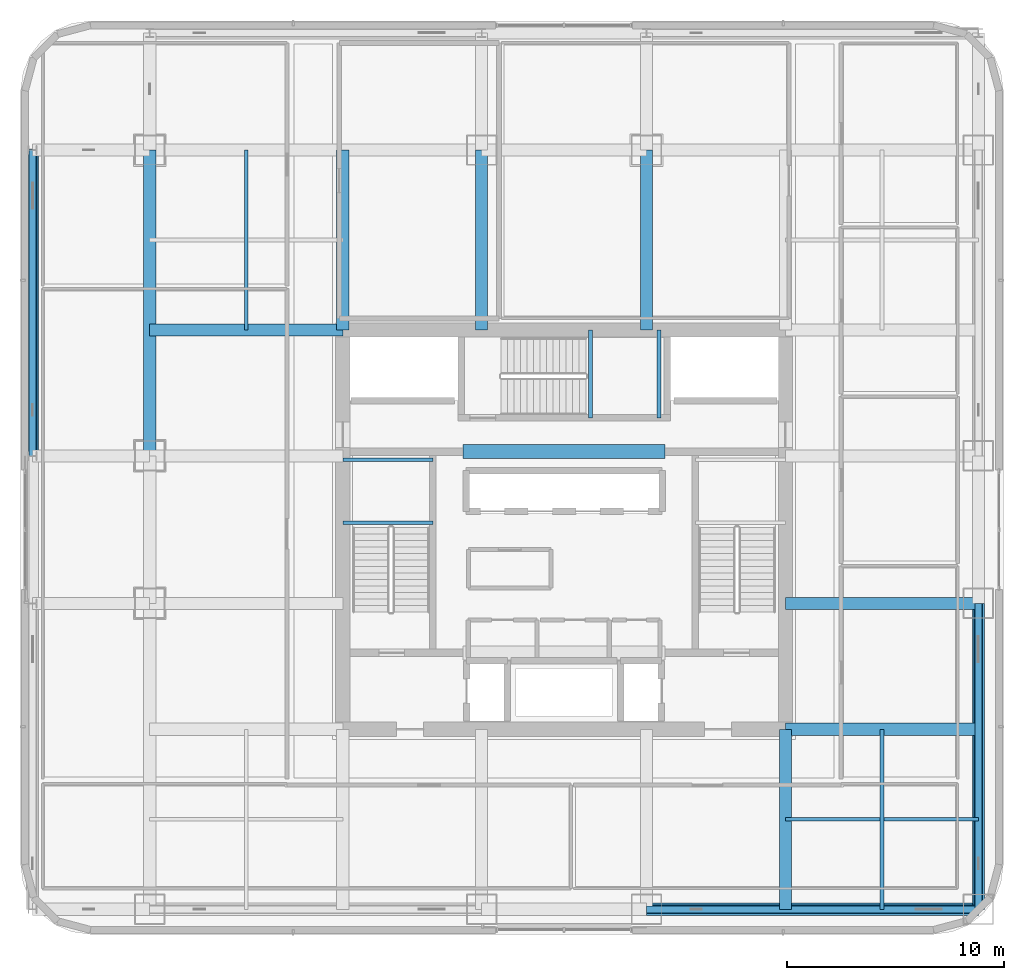
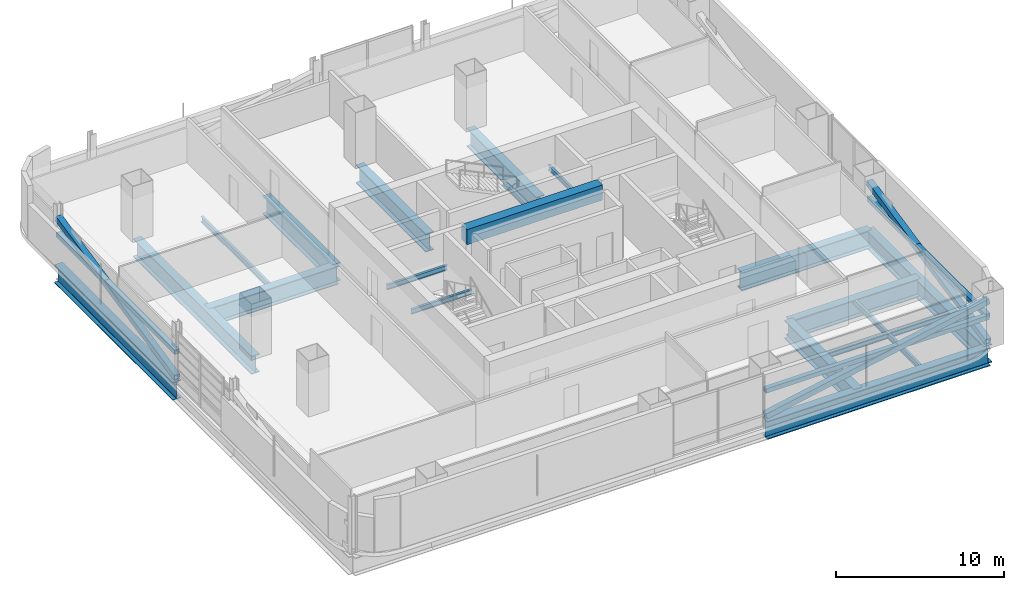
# One storey, part 5 of 32: 19 beams, 6 members.
"""IFC4 building model written with IfcOpenShell, lengths in metres."""

from ifc_helpers import new_model, si_unit, direction, frame, origin, origin_2d, place, context, subcontext, project, spatial, rectangle, hollow_rectangle, i_section, extrude, material, material_profile, profile_set, type_object, element, save


model = new_model("IFC4")

# Units and contexts
model_context = context("Model", 3, precision=1e-05, world=origin(), true_north=direction((0.0, 1.0)))
body_context = subcontext(model_context, "Body", "Model", "MODEL_VIEW")
ifc_project = project(units=[si_unit("LENGTHUNIT", "METRE"), si_unit("AREAUNIT", "SQUARE_METRE"), si_unit("VOLUMEUNIT", "CUBIC_METRE"), si_unit("PLANEANGLEUNIT", "RADIAN"), si_unit("MASSUNIT", "GRAM", prefix="KILO")], contexts=[model_context])

# Site, building, storey
site_placement = place(None, origin())
site = spatial("IfcSite", under=ifc_project, at=site_placement, CompositionType="ELEMENT")
building_placement = place(site_placement, origin())
building = spatial("IfcBuilding", under=site, at=building_placement, Name="Punatoya Terracotta Tower", CompositionType="ELEMENT")
storey_placement = place(building_placement, frame((0.0, 0.0, 139.800048828125)))
storey = spatial("IfcBuildingStorey", under=building, at=storey_placement, Name="L32", CompositionType="ELEMENT", Elevation=139.800048828125)

# Beams
ifc_material_1 = material(Name="Concrete C60/75", Category="concrete")
ifc_material_profile_1 = material_profile(ifc_material_1, rectangle(XDim=0.64990234375, YDim=1.10009765625, at=origin_2d()))
ifc_profile_set_1 = profile_set([ifc_material_profile_1], Name="Concrete C60/75")
beam_type_1 = type_object("IfcBeamType", Name="BM-RC-1100", PredefinedType="LINTEL", material=ifc_profile_set_1)
beam_1_placement = place(storey_placement, frame((-4.64990234375, 3.60009765625, 3.280029296875), z_axis=(1.0, 0.0, 0.0), x_axis=(0.0, 1.0, 0.0)))
element("IfcBeam", 1, at=beam_1_placement, inside=storey, type_object=beam_type_1, Name="L32 Core Coupling Lintel CNW", PredefinedType="LINTEL", context=body_context, shape_type="SweptSolid", body=[
    extrude(rectangle(XDim=0.64990234375, YDim=1.10009765625, at=origin_2d()), origin(), (0.0, 0.0, 1.0), 9.2998046875),
])
ifc_material_2 = material(Name="Steel S355", Category="steel")
ifc_material_profile_2 = material_profile(ifc_material_2, i_section(OverallWidth=0.169921875, OverallDepth=0.360107421875, WebThickness=0.008056640625, FlangeThickness=0.0126953125, FilletRadius=0.01806640625, at=origin_2d()))
ifc_profile_set_2 = profile_set([ifc_material_profile_2], Name="Steel S355")
beam_type_2 = type_object("IfcBeamType", Name="BM-SEC-360", PredefinedType="JOIST", material=ifc_profile_set_2)
for number, where, z_axis, x_axis, name in (
    (2, (-10.199951171875, 0.320068359375, 1.64501953125), (1.0, 0.0, 0.0), (0.0, 1.0, 0.0), "BM-L32-ST-1-LD1A"),
    (3, (-10.199951171875, 3.22998046875, 1.64501953125), (1.0, 0.0, 0.0), (0.0, 1.0, 0.0), "BM-L32-ST-1-LD1B"),
):
    element("IfcBeam", number, at=place(storey_placement, frame(where, z_axis=z_axis, x_axis=x_axis)), inside=storey, type_object=beam_type_2, Name=name, PredefinedType="JOIST", context=body_context, shape_type="SweptSolid", body=[
        extrude(i_section(OverallWidth=0.169921875, OverallDepth=0.360107421875, WebThickness=0.008056640625, FlangeThickness=0.0126953125, FilletRadius=0.01806640625, at=origin_2d()), origin(), (0.0, 0.0, 1.0), 4.14990234375),
    ])
for number, where, z_axis, x_axis, name in (
    (4, (1.219970703125, 5.14990234375, 1.64501953125), (0.0, 1.0, 0.0), (-1.0, 0.0, 0.0), "BM-L32-ST-3-LD1A"),
    (5, (4.3798828125, 5.14990234375, 1.64501953125), (0.0, 1.0, 0.0), (-1.0, 0.0, 0.0), "BM-L32-ST-3-LD1B"),
):
    element("IfcBeam", number, at=place(storey_placement, frame(where, z_axis=z_axis, x_axis=x_axis)), inside=storey, type_object=beam_type_2, Name=name, PredefinedType="JOIST", context=body_context, shape_type="SweptSolid", body=[
        extrude(i_section(OverallWidth=0.169921875, OverallDepth=0.360107421875, WebThickness=0.008056640625, FlangeThickness=0.0126953125, FilletRadius=0.01806640625, at=origin_2d()), origin(), (0.0, 0.0, 1.0), 4.050048828125),
    ])
ifc_material_profile_3 = material_profile(ifc_material_2, i_section(OverallWidth=0.179931640625, OverallDepth=0.39990234375, WebThickness=0.008544921875, FlangeThickness=0.013427734375, FilletRadius=0.01806640625, at=origin_2d()))
ifc_profile_set_3 = profile_set([ifc_material_profile_3], Name="Steel S355")
beam_type_3 = type_object("IfcBeamType", Name="BM-SEC-400", PredefinedType="JOIST", material=ifc_profile_set_3)
beam_2_placement = place(storey_placement, frame((10.199951171875, -13.35009765625, -0.47998046875), z_axis=(1.0, 0.0, 0.0), x_axis=(0.0, 1.0, 0.0)))
element("IfcBeam", 6, at=beam_2_placement, inside=storey, type_object=beam_type_3, Name="BM-L32-SJS-2", PredefinedType="JOIST", context=body_context, shape_type="SweptSolid", body=[
    extrude(i_section(OverallWidth=0.179931640625, OverallDepth=0.39990234375, WebThickness=0.008544921875, FlangeThickness=0.013427734375, FilletRadius=0.01806640625, at=origin_2d()), origin(), (0.0, 0.0, 1.0), 8.900146484375),
])
for number, where, z_axis, x_axis, name in (
    (7, (14.64990234375, -17.5, -0.47998046875), (0.0, 1.0, 0.0), (-1.0, 0.0, 0.0), "BM-L32-SJE-1"),
    (8, (-14.64990234375, 9.199951171875, -0.47998046875), (0.0, 1.0, 0.0), (-1.0, 0.0, 0.0), "BM-L32-SJW-2"),
):
    element("IfcBeam", number, at=place(storey_placement, frame(where, z_axis=z_axis, x_axis=x_axis)), inside=storey, type_object=beam_type_3, Name=name, PredefinedType="JOIST", context=body_context, shape_type="SweptSolid", body=[
        extrude(i_section(OverallWidth=0.179931640625, OverallDepth=0.39990234375, WebThickness=0.008544921875, FlangeThickness=0.013427734375, FilletRadius=0.01806640625, at=origin_2d()), origin(), (0.0, 0.0, 1.0), 8.300048828125),
    ])
ifc_material_3 = material(Name="Steel S460", Category="steel")
ifc_material_profile_4 = material_profile(ifc_material_3, i_section(OverallWidth=0.56005859375, OverallDepth=1.320068359375, WebThickness=0.035888671875, FlangeThickness=0.054931640625, FilletRadius=0.01806640625, at=origin_2d()))
ifc_profile_set_4 = profile_set([ifc_material_profile_4], Name="Steel S460")
beam_type_4 = type_object("IfcBeamType", Name="BM-TG-BLK", PredefinedType="BEAM", material=ifc_profile_set_4)
beam_3_placement = place(storey_placement, frame((3.800048828125, -17.5, -0.93994140625), z_axis=(1.0, 0.0, 0.0), x_axis=(0.0, 1.0, 0.0)))
element("IfcBeam", 9, at=beam_3_placement, inside=storey, type_object=beam_type_4, Name="BM-L32-RG-S3", PredefinedType="BEAM", context=body_context, shape_type="SweptSolid", body=[
    extrude(i_section(OverallWidth=0.56005859375, OverallDepth=1.320068359375, WebThickness=0.035888671875, FlangeThickness=0.054931640625, FilletRadius=0.01806640625, at=origin_2d()), origin(), (0.0, 0.0, 1.0), 15.300048828125),
])
for number, where, z_axis, x_axis, name in (
    (10, (-19.10009765625, 3.39990234375, -0.93994140625), (0.0, 1.0, 0.0), (-1.0, 0.0, 0.0), "BM-L32-RG-W3"),
    (11, (19.10009765625, -17.5, -0.93994140625), (0.0, 1.0, 0.0), (-1.0, 0.0, 0.0), "BM-L32-RG-E1"),
):
    element("IfcBeam", number, at=place(storey_placement, frame(where, z_axis=z_axis, x_axis=x_axis)), inside=storey, type_object=beam_type_4, Name=name, PredefinedType="BEAM", context=body_context, shape_type="SweptSolid", body=[
        extrude(i_section(OverallWidth=0.56005859375, OverallDepth=1.320068359375, WebThickness=0.035888671875, FlangeThickness=0.054931640625, FilletRadius=0.01806640625, at=origin_2d()), origin(), (0.0, 0.0, 1.0), 14.10009765625),
    ])
for number, where, z_axis, x_axis, name in (
    (12, (-19.10009765625, 9.199951171875, -0.93994140625), (1.0, 0.0, 0.0), (0.0, 1.0, 0.0), "BM-L32-PR-WN"),
    (13, (10.199951171875, -9.199951171875, -0.93994140625), (1.0, 0.0, 0.0), (0.0, 1.0, 0.0), "BM-L32-PR-ES"),
    (14, (10.199951171875, -3.39990234375, -0.93994140625), (1.0, 0.0, 0.0), (0.0, 1.0, 0.0), "BM-L32-PR-ED"),
):
    element("IfcBeam", number, at=place(storey_placement, frame(where, z_axis=z_axis, x_axis=x_axis)), inside=storey, type_object=beam_type_4, Name=name, PredefinedType="BEAM", context=body_context, shape_type="SweptSolid", body=[
        extrude(i_section(OverallWidth=0.56005859375, OverallDepth=1.320068359375, WebThickness=0.035888671875, FlangeThickness=0.054931640625, FilletRadius=0.01806640625, at=origin_2d()), origin(), (0.0, 0.0, 1.0), 8.900146484375),
    ])
for number, where, z_axis, x_axis, name in (
    (15, (10.199951171875, -17.5, -0.93994140625), (0.0, 1.0, 0.0), (-1.0, 0.0, 0.0), "BM-L32-PR-S4"),
    (16, (-10.199951171875, 9.199951171875, -0.93994140625), (0.0, 1.0, 0.0), (-1.0, 0.0, 0.0), "BM-L32-PR-N1"),
    (17, (-3.800048828125, 9.199951171875, -0.93994140625), (0.0, 1.0, 0.0), (-1.0, 0.0, 0.0), "BM-L32-PR-N2"),
    (18, (3.800048828125, 9.199951171875, -0.93994140625), (0.0, 1.0, 0.0), (-1.0, 0.0, 0.0), "BM-L32-PR-N3"),
):
    element("IfcBeam", number, at=place(storey_placement, frame(where, z_axis=z_axis, x_axis=x_axis)), inside=storey, type_object=beam_type_4, Name=name, PredefinedType="BEAM", context=body_context, shape_type="SweptSolid", body=[
        extrude(i_section(OverallWidth=0.56005859375, OverallDepth=1.320068359375, WebThickness=0.035888671875, FlangeThickness=0.054931640625, FilletRadius=0.01806640625, at=origin_2d()), origin(), (0.0, 0.0, 1.0), 8.300048828125),
    ])
beam_4_placement = place(storey_placement, frame((-24.5, 3.39990234375, -0.93994140625), z_axis=(0.0, 1.0, 0.0), x_axis=(-1.0, 0.0, 0.0)))
element("IfcBeam", 19, at=beam_4_placement, inside=storey, type_object=beam_type_4, Name="BM-L32-PER-W3", PredefinedType="BEAM", context=body_context, shape_type="SweptSolid", body=[
    extrude(i_section(OverallWidth=0.56005859375, OverallDepth=1.320068359375, WebThickness=0.035888671875, FlangeThickness=0.054931640625, FilletRadius=0.01806640625, at=origin_2d()), origin(), (0.0, 0.0, 1.0), 14.10009765625),
])

# Members
ifc_material_profile_5 = material_profile(ifc_material_3, hollow_rectangle(XDim=0.320068359375, YDim=0.320068359375, WallThickness=0.01806640625, at=origin_2d()))
ifc_profile_set_5 = profile_set([ifc_material_profile_5], Name="Steel S460")
member_type_1 = type_object("IfcMemberType", Name="MEM-CHD-320", PredefinedType="CHORD", material=ifc_profile_set_5)
member_1_placement = place(storey_placement, frame((3.800048828125, -17.5, 1.849853515625), z_axis=(1.0, 0.0, 0.0), x_axis=(0.0, 1.0, 0.0)))
element("IfcMember", 20, at=member_1_placement, inside=storey, type_object=member_type_1, Name="L32 Exoskeleton Belt Truss Tie Chord S3", PredefinedType="CHORD", context=body_context, shape_type="SweptSolid", body=[
    extrude(hollow_rectangle(XDim=0.320068359375, YDim=0.320068359375, WallThickness=0.01806640625, at=origin_2d()), origin(), (0.0, 0.0, 1.0), 15.300048828125),
])
for number, where, z_axis, x_axis, name in (
    (21, (-24.5, 3.39990234375, 1.849853515625), (0.0, 1.0, 0.0), (-1.0, 0.0, 0.0), "L32 Exoskeleton Belt Truss Tie Chord W3"),
    (22, (19.10009765625, -17.5, 1.849853515625), (0.0, 1.0, 0.0), (-1.0, 0.0, 0.0), "L32 Exoskeleton Belt Truss Tie Chord E1"),
):
    element("IfcMember", number, at=place(storey_placement, frame(where, z_axis=z_axis, x_axis=x_axis)), inside=storey, type_object=member_type_1, Name=name, PredefinedType="CHORD", context=body_context, shape_type="SweptSolid", body=[
        extrude(hollow_rectangle(XDim=0.320068359375, YDim=0.320068359375, WallThickness=0.01806640625, at=origin_2d()), origin(), (0.0, 0.0, 1.0), 14.10009765625),
    ])
ifc_material_profile_6 = material_profile(ifc_material_3, hollow_rectangle(XDim=0.39990234375, YDim=0.39990234375, WallThickness=0.02197265625, at=origin_2d()))
ifc_profile_set_6 = profile_set([ifc_material_profile_6], Name="Steel S460")
member_type_2 = type_object("IfcMemberType", Name="MEM-EXO-400", PredefinedType="BRACE", material=ifc_profile_set_6)
member_2_placement = place(storey_placement, frame((3.800048828125, -17.5, 0.02001953125), z_axis=(0.981192463394, 0.0, 0.193031991594), x_axis=(0.0, 1.0, 0.0)))
element("IfcMember", 23, at=member_2_placement, inside=storey, type_object=member_type_2, Name="L32 Exoskeleton Belt Brace S3", PredefinedType="BRACE", context=body_context, shape_type="SweptSolid", body=[
    extrude(hollow_rectangle(XDim=0.39990234375, YDim=0.39990234375, WallThickness=0.02197265625, at=origin_2d()), origin(), (0.0, 0.0, 1.0), 15.59326171875),
])
for number, where, z_axis, x_axis, name in (
    (24, (-24.5, 3.39990234375, 0.02001953125), (0.0, 0.977964679292, 0.208770414707), (-1.0, 0.0, 0.0), "L32 Exoskeleton Belt Brace W3"),
    (25, (19.10009765625, -17.5, 0.02001953125), (0.0, 0.977964679292, 0.208770414707), (-1.0, 0.0, 0.0), "L32 Exoskeleton Belt Brace E1"),
):
    element("IfcMember", number, at=place(storey_placement, frame(where, z_axis=z_axis, x_axis=x_axis)), inside=storey, type_object=member_type_2, Name=name, PredefinedType="BRACE", context=body_context, shape_type="SweptSolid", body=[
        extrude(hollow_rectangle(XDim=0.39990234375, YDim=0.39990234375, WallThickness=0.02197265625, at=origin_2d()), origin(), (0.0, 0.0, 1.0), 14.417724609375),
    ])

save(model, "model.ifc")
